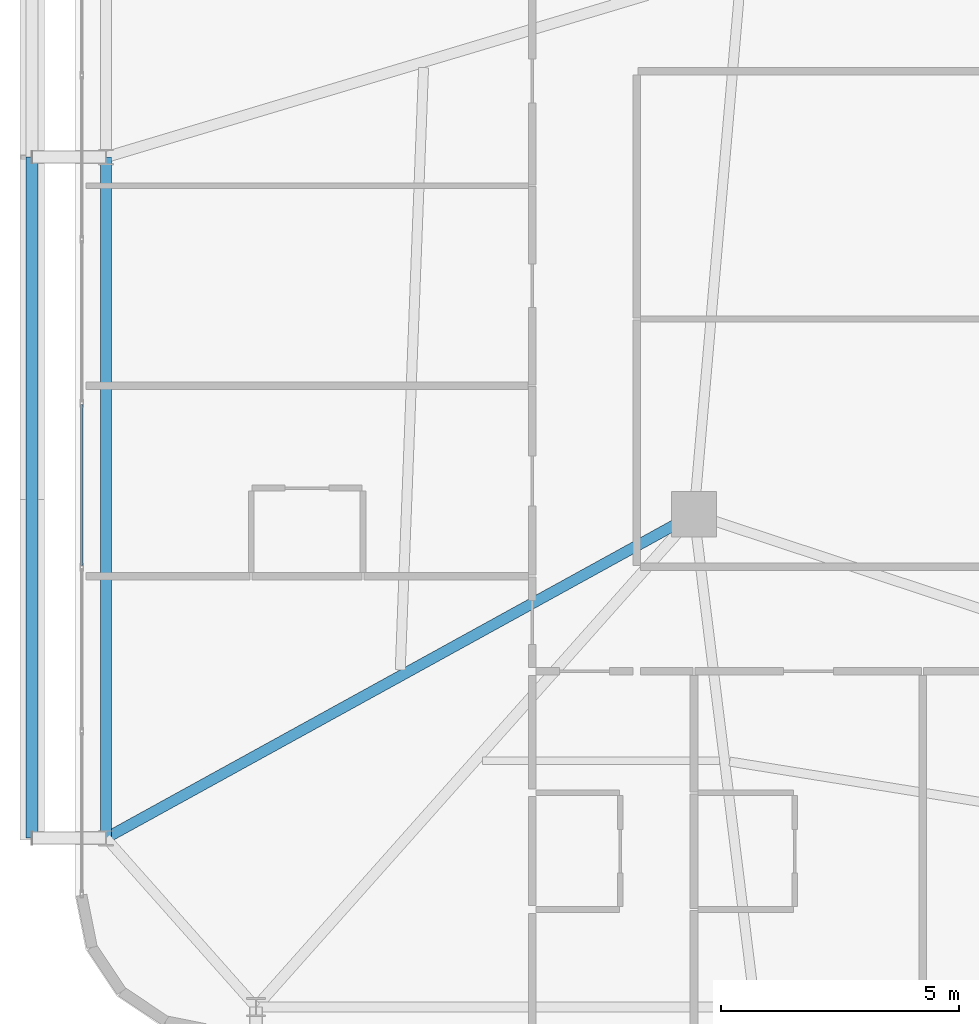
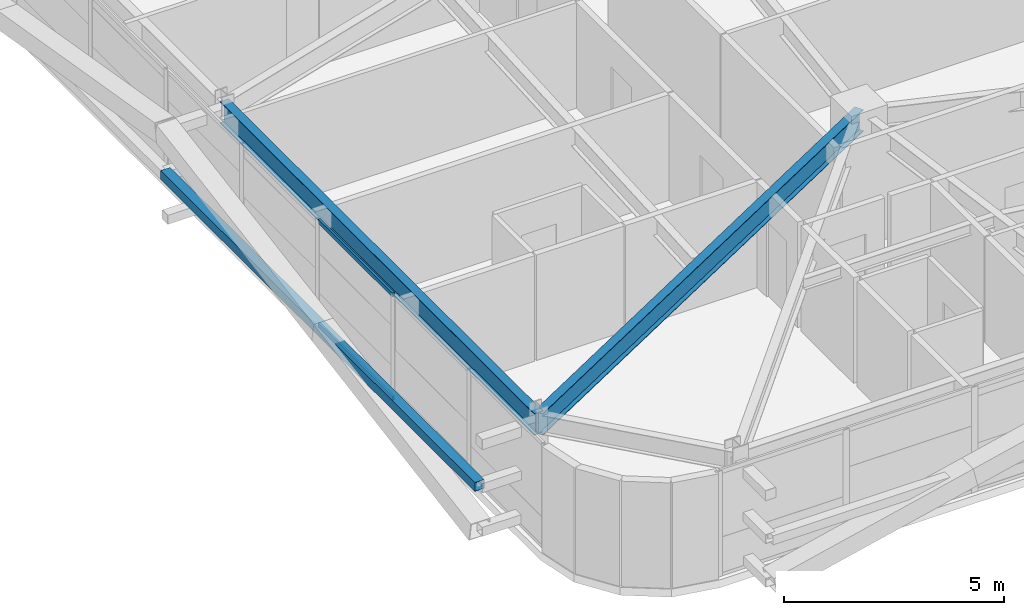
# One storey, part 9 of 59: 3 members, 2 beams, 1 element without a shape of its own.
"""IFC4 building model written with IfcOpenShell, lengths in metres."""

from ifc_helpers import new_model, si_unit, direction, frame, origin, origin_2d, place, context, subcontext, project, spatial, hollow_rectangle, i_section, extrude, source, transform, mapped, material, layer, layer_set, material_profile, profile_set, type_object, element, aggregate, save


model = new_model("IFC4")

# Units and contexts
model_context = context("Model", 3, precision=1e-05, world=origin(), true_north=direction((0.0, 1.0)))
body_context = subcontext(model_context, "Body", "Model", "MODEL_VIEW")
ifc_project = project(units=[si_unit("LENGTHUNIT", "METRE"), si_unit("AREAUNIT", "SQUARE_METRE"), si_unit("VOLUMEUNIT", "CUBIC_METRE"), si_unit("PLANEANGLEUNIT", "RADIAN"), si_unit("MASSUNIT", "GRAM", prefix="KILO")], contexts=[model_context])

# Site, building, storey
site_placement = place(None, origin())
site = spatial("IfcSite", under=ifc_project, at=site_placement, CompositionType="ELEMENT")
building_placement = place(site_placement, origin())
building = spatial("IfcBuilding", under=site, at=building_placement, Name="Taldren Reach Tower", CompositionType="ELEMENT")
storey_placement = place(building_placement, frame((0.0, 0.0, 23.10009765625)))
storey = spatial("IfcBuildingStorey", under=building, at=storey_placement, Name="L06", CompositionType="ELEMENT", Elevation=23.10009765625)

# Beams
ifc_material_1 = material(Name="Steel Gr 350 (350PLUS)", Category="steel")
ifc_material_profile_1 = material_profile(ifc_material_1, i_section(OverallWidth=0.22802734375, OverallDepth=0.60205078125, WebThickness=0.010498046875, FlangeThickness=0.014892578125, at=origin_2d()), Name="610UB101")
ifc_profile_set_1 = profile_set([ifc_material_profile_1], Name="Steel Gr 350 (350PLUS)")
beam_type = type_object("IfcBeamType", Name="BM-UB610B", PredefinedType="BEAM", material=ifc_profile_set_1)
shared_shape_1 = source(origin(), body_context, "Body", "SweptSolid", [
    extrude(i_section(OverallWidth=0.22802734375, OverallDepth=0.60205078125, WebThickness=0.010498046875, FlangeThickness=0.014892578125, at=origin_2d()), origin(), (0.0, 0.0, 1.0), 14.300048828125),
])
beam_1_placement = place(storey_placement, frame((5.64990234375, 20.0, 2.62890625), z_axis=(0.0, -1.0, 0.0), x_axis=(1.0, 0.0, 0.0)))
element("IfcBeam", 1, at=beam_1_placement, inside=storey, type_object=beam_type, Name="Perimeter gable girder B1 W2-W1 L06", PredefinedType="BEAM", context=body_context, shape_type="MappedRepresentation", body=[
    mapped(shared_shape_1, transform((0.0, 0.0, 0.0), scale=1.0)),
])
shared_shape_2 = source(origin(), body_context, "Body", "SweptSolid", [
    extrude(i_section(OverallWidth=0.22802734375, OverallDepth=0.60205078125, WebThickness=0.010498046875, FlangeThickness=0.014892578125, at=origin_2d()), origin(), (0.0, 0.0, 1.0), 14.098388671875),
])
beam_2_placement = place(storey_placement, frame((18.0, 12.5, 2.62890625), z_axis=(-0.875991325783, -0.482326857175, 0.0), x_axis=(0.482326857175, -0.875991325783, 0.0)))
element("IfcBeam", 2, at=beam_2_placement, inside=storey, type_object=beam_type, Name="Primary floor girder B1-W1 L06", PredefinedType="BEAM", context=body_context, shape_type="MappedRepresentation", body=[
    mapped(shared_shape_2, transform((0.0, 0.0, 0.0), scale=1.0)),
])

# Member
ifc_material_2 = material(Name="Steel Gr 350 (C350L0)", Category="steel")
ifc_material_profile_2 = material_profile(ifc_material_2, hollow_rectangle(XDim=0.25, YDim=0.25, WallThickness=0.010009765625, at=origin_2d()), Name="250x250x10.0SHS")
ifc_profile_set_2 = profile_set([ifc_material_profile_2], Name="Steel Gr 350 (C350L0)")
member_type_1 = type_object("IfcMemberType", Name="MB-POST250", PredefinedType="POST", material=ifc_profile_set_2)
shared_shape_3 = source(origin(), body_context, "Body", "SweptSolid", [
    extrude(hollow_rectangle(XDim=0.25, YDim=0.25, WallThickness=0.010009765625, at=origin_2d()), origin(), (0.0, 0.0, 1.0), 14.300048828125),
])
member_1_placement = place(storey_placement, frame((4.10009765625, 5.699951171875, 1.434814453125), z_axis=(0.0, 1.0, 0.0), x_axis=(-1.0, 0.0, 0.0)))
element("IfcMember", 3, at=member_1_placement, inside=storey, type_object=member_type_1, Name="Exoskeleton mid-height ring chord B1-W1 L06", PredefinedType="POST", context=body_context, shape_type="MappedRepresentation", body=[
    mapped(shared_shape_3, transform((0.0, 0.0, 0.0), scale=1.0)),
])

# Curtain wall, members
ifc_material_3 = material(Name="Aluminium and Low-E Glass Unitised System", Category="aluminium")
ifc_layer = layer(ifc_material_3, 0.159912109375)
ifc_layer_set = layer_set([ifc_layer], Name="Aluminium and Low-E Glass Unitised System")
curtain_wall_type = type_object("IfcCurtainWallType", Name="CW-SYS-2", PredefinedType="NOTDEFINED", material=ifc_layer_set)
curtain_wall_placement = place(storey_placement, origin())
curtain_wall = element("IfcCurtainWall", 4, at=curtain_wall_placement, inside=storey, type_object=curtain_wall_type, Name="Unitised curtain wall CW-L06-W", PredefinedType="NOTDEFINED")
ifc_material_4 = material(Name="Anodised Aluminium 6063-T6", Category="aluminium")
ifc_material_profile_3 = material_profile(ifc_material_4, hollow_rectangle(XDim=0.054931640625, YDim=0.1201171875, WallThickness=0.0029296875, at=origin_2d()), Name="ALU-120x55x3RHS")
ifc_profile_set_3 = profile_set([ifc_material_profile_3], Name="Anodised Aluminium 6063-T6")
member_type_2 = type_object("IfcMemberType", Name="CW-TRN-135", PredefinedType="USERDEFINED", material=ifc_profile_set_3)
shared_shape_4 = source(origin(), body_context, "Body", "SweptSolid", [
    extrude(hollow_rectangle(XDim=0.054931640625, YDim=0.1201171875, WallThickness=0.0029296875, at=origin_2d()), origin(), (0.0, 0.0, 1.0), 3.37939453125),
])
member_2_placement = place(storey_placement, frame((5.139892578125, 14.80078125, 0.02734375), z_axis=(0.0, -1.0, 0.0), x_axis=(1.0, 0.0, 0.0)))
member_2 = element("IfcMember", 5, at=member_2_placement, type_object=member_type_2, Name="CW-2 transom 7.1", ObjectType="TRANSOM", PredefinedType="USERDEFINED", context=body_context, shape_type="MappedRepresentation", body=[
    mapped(shared_shape_4, transform((0.0, 0.0, 0.0), scale=1.0)),
])
member_3_placement = place(storey_placement, frame((5.139892578125, 14.80078125, 2.90234375), z_axis=(0.0, -1.0, 0.0), x_axis=(1.0, 0.0, 0.0)))
member_3 = element("IfcMember", 6, at=member_3_placement, type_object=member_type_2, Name="CW-2 transom 7.2", ObjectType="TRANSOM", PredefinedType="USERDEFINED", context=body_context, shape_type="MappedRepresentation", body=[
    mapped(shared_shape_4, transform((0.0, 0.0, 0.0), scale=1.0)),
])
aggregate(curtain_wall, [member_2, member_3])

save(model, "model.ifc")
